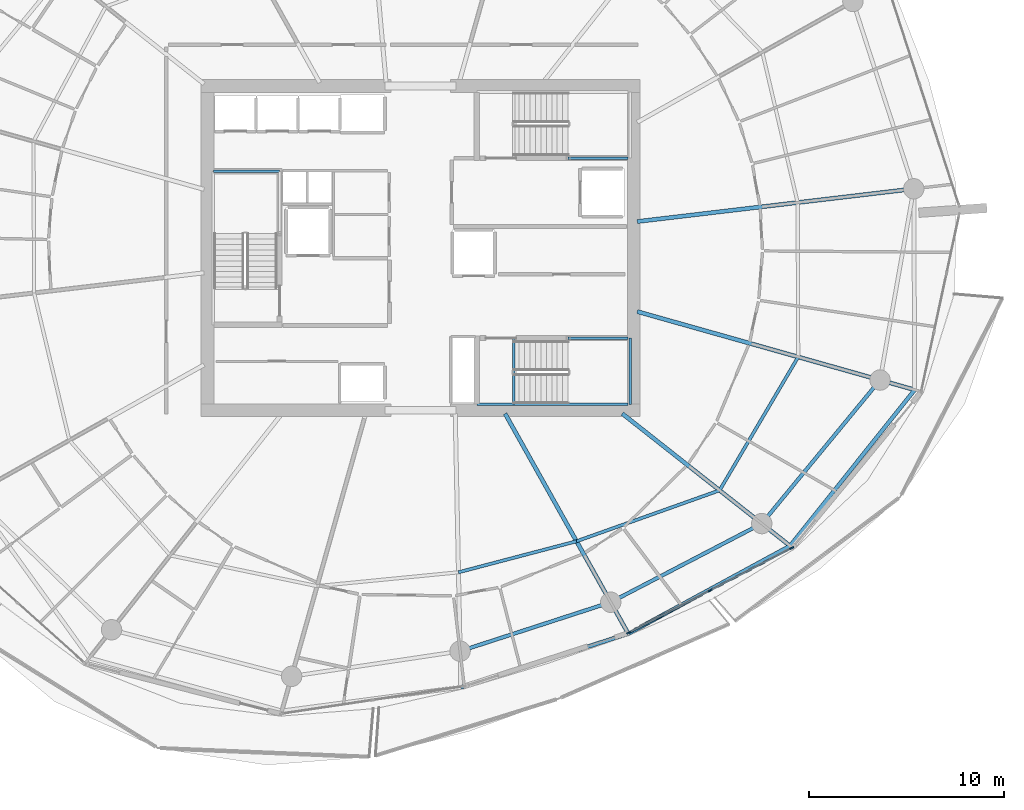
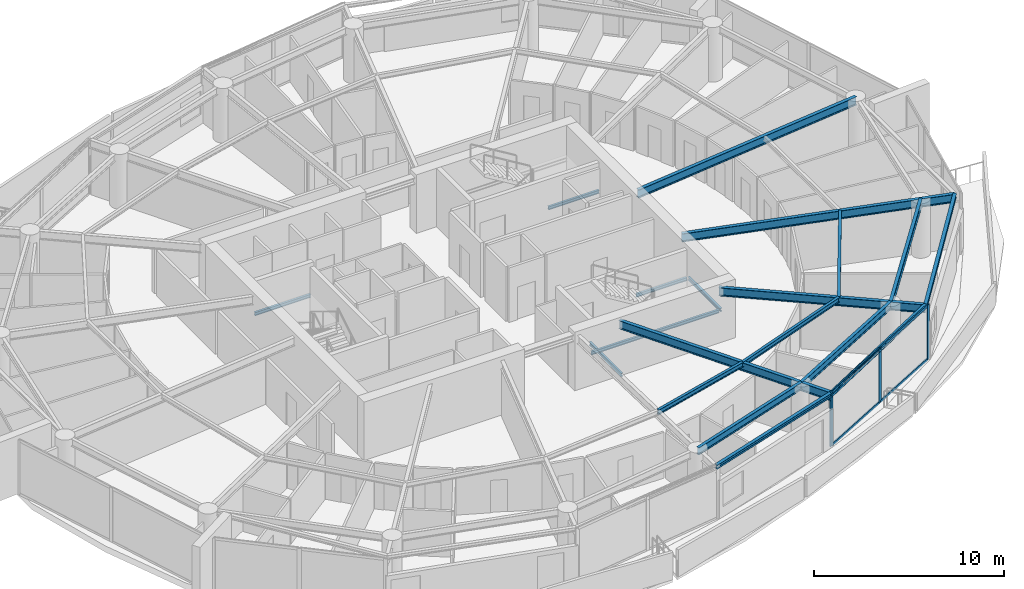
# One storey, part 6 of 21: 19 beams, 7 members, 1 element without a shape of its own.
"""IFC4 building model written with IfcOpenShell, lengths in metres."""

import ifcopenshell
import ifcopenshell.guid

model = None  # the IFC model being written
_history = None  # IfcOwnerHistory: only IFC2X3 demands one
_inside = {}  # id of a spatial element -> (the spatial element, [elements in it])
_under = {}  # id of a project, library or spatial element -> (it, [spatial elements below it])
_declared = {}  # id of a project -> (the project, [libraries it declares])
_typed = {}  # id of a type object -> (the type object, [elements of that type])
_made_of = {}  # id of a material, layer set ... -> (it, [elements and type objects made of it])


def new_model(schema):
    """Start an empty IFC model of exactly this schema.

    Asked for "IFC4X3", IfcOpenShell would pick the latest addendum, in which some entities
    have other attributes; the version numbers below select the first issue.
    IFC2X3 requires an IfcOwnerHistory on every rooted entity: one is made here for all.
    """
    global model, _history
    if schema == "IFC4X3":
        model = ifcopenshell.file(schema_version=(4, 3, 0, 0))
    else:
        model = ifcopenshell.file(schema=schema)
    _inside.clear()
    _under.clear()
    _declared.clear()
    _typed.clear()
    _made_of.clear()
    _history = None
    if model.schema == "IFC2X3":
        org = make("IfcOrganization", Name="unknown")
        user = make(
            "IfcPersonAndOrganization",
            ThePerson=make("IfcPerson", FamilyName="unknown"),
            TheOrganization=org,
        )
        app = make(
            "IfcApplication",
            ApplicationDeveloper=org,
            Version="unknown",
            ApplicationFullName="unknown",
            ApplicationIdentifier="unknown",
        )
        _history = make(
            "IfcOwnerHistory",
            OwningUser=user,
            OwningApplication=app,
            ChangeAction="ADDED",
            CreationDate=0,
        )
    return model


def make(cls, **values):
    """One entity of the class cls with the attributes given. An attribute that is None is left unset."""
    return model.create_entity(
        cls, **{name: value for name, value in values.items() if value is not None}
    )


def rooted(cls, **values):
    """An entity with a GlobalId (a new one), such as an element, a storey or a relation."""
    return make(cls, GlobalId=ifcopenshell.guid.new(), OwnerHistory=_history, **values)


def si_unit(unit_type, name, prefix=None):
    """IfcSIUnit, for example si_unit("LENGTHUNIT", "METRE", prefix="MILLI")."""
    return make("IfcSIUnit", UnitType=unit_type, Prefix=prefix, Name=name)


def assignment(units):
    """IfcUnitAssignment: the units of a project."""
    return None if units is None else make("IfcUnitAssignment", Units=units)


def point(xyz):
    """IfcCartesianPoint."""
    return None if xyz is None else make("IfcCartesianPoint", Coordinates=xyz)


def direction(xyz):
    """IfcDirection."""
    return None if xyz is None else make("IfcDirection", DirectionRatios=xyz)


def frame(location, z_axis=None, x_axis=None):
    """IfcAxis2Placement3D, a coordinate frame: its origin and axes. An axis left out is left unset."""
    return make(
        "IfcAxis2Placement3D",
        Location=point(location),
        Axis=direction(z_axis),
        RefDirection=direction(x_axis),
    )


def frame_2d(location, x_axis=None):
    """IfcAxis2Placement2D, a coordinate frame in the plane: its origin and x axis."""
    return make(
        "IfcAxis2Placement2D", Location=point(location), RefDirection=direction(x_axis)
    )


def origin():
    """The frame at (0, 0, 0) with its axes left unset."""
    return frame((0.0, 0.0, 0.0))


def origin_2d():
    """The frame at (0, 0) in the plane with its x axis left unset."""
    return frame_2d((0.0, 0.0))


def place(relative_to, where):
    """IfcLocalPlacement: puts the frame where relative to a parent placement (None: the world)."""
    return make(
        "IfcLocalPlacement", PlacementRelTo=relative_to, RelativePlacement=where
    )


def context(
    kind, dimensions, precision=None, world=None, true_north=None, identifier=None
):
    """IfcGeometricRepresentationContext, for example the 3D "Model" context."""
    return make(
        "IfcGeometricRepresentationContext",
        ContextIdentifier=identifier,
        ContextType=kind,
        CoordinateSpaceDimension=dimensions,
        Precision=precision,
        WorldCoordinateSystem=world,
        TrueNorth=true_north,
    )


def subcontext(parent, identifier, kind, view, scale=None):
    """IfcGeometricRepresentationSubContext, for example "Body" below "Model"."""
    return make(
        "IfcGeometricRepresentationSubContext",
        ContextIdentifier=identifier,
        ContextType=kind,
        ParentContext=parent,
        TargetScale=scale,
        TargetView=view,
    )


def project(units=None, contexts=None):
    """IfcProject with its units and contexts."""
    return rooted(
        "IfcProject",
        Name="project",
        RepresentationContexts=contexts,
        UnitsInContext=assignment(units),
    )


def spatial(cls, under=None, at=None, **own):
    """A site, building, storey or space (cls), placed at a placement, below another one or the project."""
    s = rooted(cls, ObjectPlacement=at, **own)
    if under is not None:
        _under.setdefault(under.id(), (under, []))[1].append(s)
    return s


def profile(cls, at=None, kind="AREA", **sizes):
    """A parametric profile (cls). Its sizes go by their IFC names, for example OverallWidth=200.0."""
    return make(cls, ProfileType=kind, Position=at, **sizes)


def rectangle(**sizes):
    """IfcRectangleProfileDef."""
    return profile("IfcRectangleProfileDef", **sizes)


def i_section(**sizes):
    """IfcIShapeProfileDef."""
    return profile("IfcIShapeProfileDef", **sizes)


def extrude(swept, where, along, depth):
    """IfcExtrudedAreaSolid: the profile swept, set in the frame where, extruded along a direction by depth."""
    return make(
        "IfcExtrudedAreaSolid",
        SweptArea=swept,
        Position=where,
        ExtrudedDirection=direction(along),
        Depth=depth,
    )


def shape(context_of_items, identifier, shape_type, items):
    """IfcShapeRepresentation: the items that make up one representation, for example the "Body"."""
    return make(
        "IfcShapeRepresentation",
        ContextOfItems=context_of_items,
        RepresentationIdentifier=identifier,
        RepresentationType=shape_type,
        Items=items,
    )


def material(Name=None, Category=None):
    """IfcMaterial."""
    return make("IfcMaterial", Name=Name, Category=Category)


def layer(
    of_material, thickness, ventilated=None, Name=None, Category=None, Priority=None
):
    """IfcMaterialLayer: one layer of a wall or slab, of a material (None: an air gap)."""
    return make(
        "IfcMaterialLayer",
        Material=of_material,
        LayerThickness=thickness,
        IsVentilated=ventilated,
        Name=Name,
        Category=Category,
        Priority=Priority,
    )


def layer_set(layers, Name=None):
    """IfcMaterialLayerSet."""
    return make("IfcMaterialLayerSet", MaterialLayers=layers, LayerSetName=Name)


def material_profile(
    of_material, cross_section, Name=None, Category=None, Priority=None
):
    """IfcMaterialProfile: a cross section and its material."""
    return make(
        "IfcMaterialProfile",
        Name=Name,
        Material=of_material,
        Profile=cross_section,
        Priority=Priority,
        Category=Category,
    )


def profile_set(profiles, Name=None, composite=None):
    """IfcMaterialProfileSet."""
    return make(
        "IfcMaterialProfileSet",
        Name=Name,
        MaterialProfiles=profiles,
        CompositeProfile=composite,
    )


def made_of(thing, what):
    """Note that an element or type object is made of a material, layer set ...; save() writes the relation."""
    if what is not None:
        _made_of.setdefault(what.id(), (what, []))[1].append(thing)
    return thing


def type_object(cls, material=None, **own):
    """A type object (cls), such as IfcWallType, which elements share."""
    return made_of(rooted(cls, **own), material)


def element(
    cls,
    number,
    at=None,
    inside=None,
    cuts=None,
    type_object=None,
    material=None,
    context=None,
    identifier="Body",
    shape_type=None,
    held_by="IfcProductDefinitionShape",
    body=None,
    shapes=None,
    **own,
):
    """One element of the class cls, such as IfcWall. Its Tag is "e" and its number.

    at: its placement. inside: the storey or other place that contains it. cuts: it is an
    opening in that element (IfcRelVoidsElement). A single representation is given by context,
    identifier, shape_type and body (its items); several are given by shapes. held_by: the class
    of the entity that holds the representations. save() writes the other relations.
    """
    e = rooted(cls, Tag="e%d" % number, ObjectPlacement=at, **own)
    if body is not None:
        shapes = [shape(context, identifier, shape_type, body)]
    if shapes is not None:
        e.Representation = make(held_by, Representations=shapes)
    if inside is not None:
        _inside.setdefault(inside.id(), (inside, []))[1].append(e)
    if cuts is not None:
        rooted(
            "IfcRelVoidsElement", RelatingBuildingElement=cuts, RelatedOpeningElement=e
        )
    if type_object is not None:
        _typed.setdefault(type_object.id(), (type_object, []))[1].append(e)
    return made_of(e, material)


def aggregate(whole, parts):
    """IfcRelAggregates: a whole, such as a stair, and the parts it consists of."""
    return rooted("IfcRelAggregates", RelatingObject=whole, RelatedObjects=parts)


def save(model, path):
    """Write the relations noted so far, then the file.

    IfcRelAggregates (storeys below a building ...), IfcRelContainedInSpatialStructure (elements
    in a storey), IfcRelDefinesByType, IfcRelAssociatesMaterial and IfcRelDeclares: one each for
    every whole, place, type object, material and project.
    """
    for whole, parts in _under.values():
        aggregate(whole, parts)
    for where, things in _inside.values():
        rooted(
            "IfcRelContainedInSpatialStructure",
            RelatedElements=things,
            RelatingStructure=where,
        )
    for kind, things in _typed.values():
        rooted("IfcRelDefinesByType", RelatedObjects=things, RelatingType=kind)
    for what, things in _made_of.values():
        rooted("IfcRelAssociatesMaterial", RelatedObjects=things, RelatingMaterial=what)
    for by, libraries in _declared.values():
        rooted("IfcRelDeclares", RelatingContext=by, RelatedDefinitions=libraries)
    model.write(path)


model = new_model("IFC4")

# Units and contexts
model_context = context("Model", 3, precision=1e-05, world=origin(), true_north=direction((0.0, 1.0)))
body_context = subcontext(model_context, "Body", "Model", "MODEL_VIEW")
ifc_project = project(units=[si_unit("LENGTHUNIT", "METRE"), si_unit("AREAUNIT", "SQUARE_METRE"), si_unit("VOLUMEUNIT", "CUBIC_METRE"), si_unit("PLANEANGLEUNIT", "RADIAN"), si_unit("MASSUNIT", "GRAM", prefix="KILO")], contexts=[model_context])

# Site, building, storey
site_placement = place(None, origin())
site = spatial("IfcSite", under=ifc_project, at=site_placement, CompositionType="ELEMENT")
building_placement = place(site_placement, origin())
building = spatial("IfcBuilding", under=site, at=building_placement, Name="Kazma Halo Residences", CompositionType="ELEMENT")
storey_placement = place(building_placement, frame((0.0, 0.0, 176.550048828125)))
storey = spatial("IfcBuildingStorey", under=building, at=storey_placement, Name="L44", CompositionType="ELEMENT", Elevation=176.550048828125)

# Beams
ifc_material_1 = material(Name="Steel S355", Category="steel")
ifc_material_profile_1 = material_profile(ifc_material_1, i_section(OverallWidth=0.201904296875, OverallDepth=0.2470703125, WebThickness=0.00732421875, FlangeThickness=0.010986328125, FilletRadius=0.011962890625, at=origin_2d()), Name="W250x49.1")
ifc_profile_set_1 = profile_set([ifc_material_profile_1], Name="Steel S355")
beam_type_1 = type_object("IfcBeamType", Name="BM-BAL-CANT", PredefinedType="BEAM", material=ifc_profile_set_1)
beam_1_placement = place(storey_placement, frame((50.48779296875, 19.45068359375, 3.37646484375), z_axis=(0.952538666424, 0.30441762263, 0.0), x_axis=(-0.30441762263, 0.952538666424, 0.0)))
element("IfcBeam", 1, at=beam_1_placement, inside=storey, type_object=beam_type_1, Name="L44 wave-balcony tie beam 12", PredefinedType="BEAM", context=body_context, shape_type="SweptSolid", body=[
    extrude(i_section(OverallWidth=0.201904296875, OverallDepth=0.2470703125, WebThickness=0.00732421875, FlangeThickness=0.010986328125, FilletRadius=0.011962890625, at=origin_2d()), origin(), (0.0, 0.0, 1.0), 9.029541015625),
])
beam_2_placement = place(storey_placement, frame((59.0888671875, 22.199462890625, 3.37646484375), z_axis=(0.878890557257, 0.477023467309, 0.0), x_axis=(-0.477023467309, 0.878890557257, 0.0)))
element("IfcBeam", 2, at=beam_2_placement, inside=storey, type_object=beam_type_1, Name="L44 wave-balcony tie beam 13", PredefinedType="BEAM", context=body_context, shape_type="SweptSolid", body=[
    extrude(i_section(OverallWidth=0.201904296875, OverallDepth=0.2470703125, WebThickness=0.00732421875, FlangeThickness=0.010986328125, FilletRadius=0.011962890625, at=origin_2d()), origin(), (0.0, 0.0, 1.0), 9.452880859375),
])
beam_3_placement = place(storey_placement, frame((67.39697265625, 26.708740234375, 3.37646484375), z_axis=(0.624195724924, 0.781268005864, 0.0), x_axis=(-0.781268005864, 0.624195724924, 0.0)))
element("IfcBeam", 3, at=beam_3_placement, inside=storey, type_object=beam_type_1, Name="L44 wave-balcony tie beam 14", PredefinedType="BEAM", context=body_context, shape_type="SweptSolid", body=[
    extrude(i_section(OverallWidth=0.201904296875, OverallDepth=0.2470703125, WebThickness=0.00732421875, FlangeThickness=0.010986328125, FilletRadius=0.011962890625, at=origin_2d()), origin(), (0.0, 0.0, 1.0), 10.258544921875),
])
ifc_material_profile_2 = material_profile(ifc_material_1, i_section(OverallWidth=0.208984375, OverallDepth=0.532958984375, WebThickness=0.01025390625, FlangeThickness=0.015625, FilletRadius=0.01611328125, at=origin_2d()), Name="W530x92")
ifc_profile_set_2 = profile_set([ifc_material_profile_2], Name="Steel S355")
beam_type_2 = type_object("IfcBeamType", Name="BM-RAD-W530", PredefinedType="BEAM", material=ifc_profile_set_2)
beam_4_placement = place(storey_placement, frame((52.76025390625, 33.5, 3.2333984375), z_axis=(0.488621736368, -0.872495729931, 0.0), x_axis=(0.872495729931, 0.488621736368, 0.0)))
element("IfcBeam", 4, at=beam_4_placement, inside=storey, type_object=beam_type_2, Name="L44 radial floor beam 13", PredefinedType="BEAM", context=body_context, shape_type="SweptSolid", body=[
    extrude(i_section(OverallWidth=0.208984375, OverallDepth=0.532958984375, WebThickness=0.01025390625, FlangeThickness=0.015625, FilletRadius=0.01611328125, at=origin_2d()), origin(), (0.0, 0.0, 1.0), 12.951904296875),
])
beam_5_placement = place(storey_placement, frame((58.7822265625, 33.5, 3.2333984375), z_axis=(0.785319521624, -0.619090662954, 0.0), x_axis=(0.619090662954, 0.785319521624, 0.0)))
element("IfcBeam", 5, at=beam_5_placement, inside=storey, type_object=beam_type_2, Name="L44 radial floor beam 14", PredefinedType="BEAM", context=body_context, shape_type="SweptSolid", body=[
    extrude(i_section(OverallWidth=0.208984375, OverallDepth=0.532958984375, WebThickness=0.01025390625, FlangeThickness=0.015625, FilletRadius=0.01611328125, at=origin_2d()), origin(), (0.0, 0.0, 1.0), 10.9697265625),
])
beam_6_placement = place(storey_placement, frame((59.550048828125, 38.74267578125, 3.2333984375), z_axis=(0.962449896911, -0.271459381741, 0.0), x_axis=(0.271459381741, 0.962449896911, 0.0)))
element("IfcBeam", 6, at=beam_6_placement, inside=storey, type_object=beam_type_2, Name="L44 radial floor beam 15", PredefinedType="BEAM", context=body_context, shape_type="SweptSolid", body=[
    extrude(i_section(OverallWidth=0.208984375, OverallDepth=0.532958984375, WebThickness=0.01025390625, FlangeThickness=0.015625, FilletRadius=0.01611328125, at=origin_2d()), origin(), (0.0, 0.0, 1.0), 14.80615234375),
])
beam_7_placement = place(storey_placement, frame((59.550048828125, 43.366943359375, 3.2333984375), z_axis=(0.993068204292, 0.117539532174, 0.0), x_axis=(-0.117539532174, 0.993068204292, 0.0)))
element("IfcBeam", 7, at=beam_7_placement, inside=storey, type_object=beam_type_2, Name="L44 radial floor beam 16", PredefinedType="BEAM", context=body_context, shape_type="SweptSolid", body=[
    extrude(i_section(OverallWidth=0.208984375, OverallDepth=0.532958984375, WebThickness=0.01025390625, FlangeThickness=0.015625, FilletRadius=0.01611328125, at=origin_2d()), origin(), (0.0, 0.0, 1.0), 14.30078125),
])
ifc_material_profile_3 = material_profile(ifc_material_1, i_section(OverallWidth=0.1650390625, OverallDepth=0.31005859375, WebThickness=0.005859375, FlangeThickness=0.009765625, FilletRadius=0.011962890625, at=origin_2d()), Name="W310x38.7")
ifc_profile_set_3 = profile_set([ifc_material_profile_3], Name="Steel S355")
beam_type_3 = type_object("IfcBeamType", Name="BM-SEC-W310B", PredefinedType="JOIST", material=ifc_profile_set_3)
beam_8_placement = place(storey_placement, frame((50.366943359375, 25.3515625, 3.344970703125), z_axis=(0.967135034863, 0.254263297273, 0.0), x_axis=(-0.254263297273, 0.967135034863, 0.0)))
element("IfcBeam", 8, at=beam_8_placement, inside=storey, type_object=beam_type_3, Name="L44 circumferential floor joist 12", PredefinedType="JOIST", context=body_context, shape_type="SweptSolid", body=[
    extrude(i_section(OverallWidth=0.1650390625, OverallDepth=0.31005859375, WebThickness=0.005859375, FlangeThickness=0.009765625, FilletRadius=0.011962890625, at=origin_2d()), origin(), (0.0, 0.0, 1.0), 6.27001953125),
])
beam_9_placement = place(storey_placement, frame((56.430908203125, 26.94580078125, 3.344970703125), z_axis=(0.942107492186, 0.335311009612, 0.0), x_axis=(-0.335311009612, 0.942107492186, 0.0)))
element("IfcBeam", 9, at=beam_9_placement, inside=storey, type_object=beam_type_3, Name="L44 circumferential floor joist 13", PredefinedType="JOIST", context=body_context, shape_type="SweptSolid", body=[
    extrude(i_section(OverallWidth=0.1650390625, OverallDepth=0.31005859375, WebThickness=0.005859375, FlangeThickness=0.009765625, FilletRadius=0.011962890625, at=origin_2d()), origin(), (0.0, 0.0, 1.0), 7.79931640625),
])
beam_10_placement = place(storey_placement, frame((63.77880859375, 29.56103515625, 3.344970703125), z_axis=(0.507638586433, 0.861570116453, 0.0), x_axis=(-0.861570116453, 0.507638586433, 0.0)))
element("IfcBeam", 10, at=beam_10_placement, inside=storey, type_object=beam_type_3, Name="L44 circumferential floor joist 14", PredefinedType="JOIST", context=body_context, shape_type="SweptSolid", body=[
    extrude(i_section(OverallWidth=0.1650390625, OverallDepth=0.31005859375, WebThickness=0.005859375, FlangeThickness=0.009765625, FilletRadius=0.011962890625, at=origin_2d()), origin(), (0.0, 0.0, 1.0), 7.951171875),
])
ifc_material_profile_4 = material_profile(ifc_material_1, i_section(OverallWidth=0.18994140625, OverallDepth=0.45703125, WebThickness=0.009033203125, FlangeThickness=0.014404296875, FilletRadius=0.01611328125, at=origin_2d()), Name="W460x74")
ifc_profile_set_4 = profile_set([ifc_material_profile_4], Name="Steel S355")
beam_type_4 = type_object("IfcBeamType", Name="BM-SPN-W460", PredefinedType="BEAM", material=ifc_profile_set_4)
beam_11_placement = place(storey_placement, frame((50.449951171875, 21.30029296875, 3.271484375), z_axis=(0.951048627281, 0.30904127321, 0.0), x_axis=(-0.30904127321, 0.951048627281, 0.0)))
element("IfcBeam", 11, at=beam_11_placement, inside=storey, type_object=beam_type_4, Name="L44 perimeter ring beam 12", PredefinedType="BEAM", context=body_context, shape_type="SweptSolid", body=[
    extrude(i_section(OverallWidth=0.18994140625, OverallDepth=0.45703125, WebThickness=0.009033203125, FlangeThickness=0.014404296875, FilletRadius=0.01611328125, at=origin_2d()), origin(), (0.0, 0.0, 1.0), 8.133056640625),
])
beam_12_placement = place(storey_placement, frame((58.184814453125, 23.813720703125, 3.271484375), z_axis=(0.886961243394, 0.461843861838, 0.0), x_axis=(-0.461843861838, 0.886961243394, 0.0)))
element("IfcBeam", 12, at=beam_12_placement, inside=storey, type_object=beam_type_4, Name="L44 perimeter ring beam 13", PredefinedType="BEAM", context=body_context, shape_type="SweptSolid", body=[
    extrude(i_section(OverallWidth=0.18994140625, OverallDepth=0.45703125, WebThickness=0.009033203125, FlangeThickness=0.014404296875, FilletRadius=0.01611328125, at=origin_2d()), origin(), (0.0, 0.0, 1.0), 8.748046875),
])
beam_13_placement = place(storey_placement, frame((65.944091796875, 27.85400390625, 3.271484375), z_axis=(0.63601715545, 0.771674917289, 0.0), x_axis=(-0.771674917289, 0.63601715545, 0.0)))
element("IfcBeam", 13, at=beam_13_placement, inside=storey, type_object=beam_type_4, Name="L44 perimeter ring beam 14", PredefinedType="BEAM", context=body_context, shape_type="SweptSolid", body=[
    extrude(i_section(OverallWidth=0.18994140625, OverallDepth=0.45703125, WebThickness=0.009033203125, FlangeThickness=0.014404296875, FilletRadius=0.01611328125, at=origin_2d()), origin(), (0.0, 0.0, 1.0), 9.552734375),
])
ifc_material_profile_5 = material_profile(ifc_material_1, i_section(OverallWidth=0.133056640625, OverallDepth=0.20703125, WebThickness=0.005859375, FlangeThickness=0.00830078125, FilletRadius=0.010009765625, at=origin_2d()), Name="W200x26.6")
ifc_profile_set_5 = profile_set([ifc_material_profile_5], Name="Steel S355")
beam_type_5 = type_object("IfcBeamType", Name="BM-TRIM-W200", PredefinedType="BEAM", material=ifc_profile_set_5)
beam_14_placement = place(storey_placement, frame((53.199951171875, 34.0, -0.510009765625), z_axis=(0.0, 1.0, 0.0), x_axis=(-1.0, 0.0, 0.0)))
element("IfcBeam", 14, at=beam_14_placement, inside=storey, type_object=beam_type_5, Name="L44 ST-03 floor landing support beam", PredefinedType="BEAM", context=body_context, shape_type="SweptSolid", body=[
    extrude(i_section(OverallWidth=0.133056640625, OverallDepth=0.20703125, WebThickness=0.005859375, FlangeThickness=0.00830078125, FilletRadius=0.010009765625, at=origin_2d()), origin(), (0.0, 0.0, 1.0), 3.3798828125),
])
beam_15_placement = place(storey_placement, frame((37.780029296875, 45.93994140625, 1.570068359375), z_axis=(1.0, 0.0, 0.0), x_axis=(0.0, 1.0, 0.0)))
element("IfcBeam", 15, at=beam_15_placement, inside=storey, type_object=beam_type_5, Name="L44 ST-01 landing end wall ledger", PredefinedType="BEAM", context=body_context, shape_type="SweptSolid", body=[
    extrude(i_section(OverallWidth=0.133056640625, OverallDepth=0.20703125, WebThickness=0.005859375, FlangeThickness=0.00830078125, FilletRadius=0.010009765625, at=origin_2d()), origin(), (0.0, 0.0, 1.0), 3.39990234375),
])
beam_16_placement = place(storey_placement, frame((56.0, 46.6201171875, 1.570068359375), z_axis=(1.0, 0.0, 0.0), x_axis=(0.0, 1.0, 0.0)))
element("IfcBeam", 16, at=beam_16_placement, inside=storey, type_object=beam_type_5, Name="L44 ST-02 landing south wall ledger", PredefinedType="BEAM", context=body_context, shape_type="SweptSolid", body=[
    extrude(i_section(OverallWidth=0.133056640625, OverallDepth=0.20703125, WebThickness=0.005859375, FlangeThickness=0.00830078125, FilletRadius=0.010009765625, at=origin_2d()), origin(), (0.0, 0.0, 1.0), 3.070068359375),
])
beam_17_placement = place(storey_placement, frame((51.31005859375, 33.97998046875, 1.570068359375), z_axis=(1.0, 0.0, 0.0), x_axis=(0.0, 1.0, 0.0)))
element("IfcBeam", 17, at=beam_17_placement, inside=storey, type_object=beam_type_5, Name="L44 ST-03 landing south wall ledger", PredefinedType="BEAM", context=body_context, shape_type="SweptSolid", body=[
    extrude(i_section(OverallWidth=0.133056640625, OverallDepth=0.20703125, WebThickness=0.005859375, FlangeThickness=0.00830078125, FilletRadius=0.010009765625, at=origin_2d()), origin(), (0.0, 0.0, 1.0), 7.760009765625),
])
beam_18_placement = place(storey_placement, frame((56.0, 37.3798828125, 1.570068359375), z_axis=(1.0, 0.0, 0.0), x_axis=(0.0, 1.0, 0.0)))
element("IfcBeam", 18, at=beam_18_placement, inside=storey, type_object=beam_type_5, Name="L44 ST-03 landing north wall ledger", PredefinedType="BEAM", context=body_context, shape_type="SweptSolid", body=[
    extrude(i_section(OverallWidth=0.133056640625, OverallDepth=0.20703125, WebThickness=0.005859375, FlangeThickness=0.00830078125, FilletRadius=0.010009765625, at=origin_2d()), origin(), (0.0, 0.0, 1.0), 3.070068359375),
])
beam_19_placement = place(storey_placement, frame((59.18994140625, 33.97998046875, 1.570068359375), z_axis=(0.0, 1.0, 0.0), x_axis=(-1.0, 0.0, 0.0)))
element("IfcBeam", 19, at=beam_19_placement, inside=storey, type_object=beam_type_5, Name="L44 ST-03 landing end wall ledger", PredefinedType="BEAM", context=body_context, shape_type="SweptSolid", body=[
    extrude(i_section(OverallWidth=0.133056640625, OverallDepth=0.20703125, WebThickness=0.005859375, FlangeThickness=0.00830078125, FilletRadius=0.010009765625, at=origin_2d()), origin(), (0.0, 0.0, 1.0), 3.39990234375),
])

# Curtain wall, members
ifc_material_2 = material(Name="Aluminium AW-6063 T6 and Triple-Silver Low-E Glass", Category="aluminium")
ifc_layer = layer(ifc_material_2, 0.219970703125)
ifc_layer_set = layer_set([ifc_layer], Name="Aluminium AW-6063 T6 and Triple-Silver Low-E Glass")
curtain_wall_type = type_object("IfcCurtainWallType", Name="CW-SYS-4", PredefinedType="NOTDEFINED", material=ifc_layer_set)
curtain_wall_placement = place(storey_placement, origin())
curtain_wall = element("IfcCurtainWall", 20, at=curtain_wall_placement, inside=storey, type_object=curtain_wall_type, Name="L44 unitised curtain wall B13", PredefinedType="NOTDEFINED")
ifc_material_3 = material(Name="Aluminium AW-6063 T6", Category="aluminium")
ifc_material_profile_6 = material_profile(ifc_material_3, rectangle(XDim=0.074951171875, YDim=0.219970703125, at=origin_2d()), Name="CWM-75x220")
ifc_profile_set_6 = profile_set([ifc_material_profile_6], Name="Aluminium AW-6063 T6")
member_type_1 = type_object("IfcMemberType", Name="CW-SYS-4-MUL", PredefinedType="MULLION", material=ifc_profile_set_6)
member_1_placement = place(storey_placement, frame((59.105712890625, 22.24609375, 0.0), z_axis=(0.0, 0.0, 1.0), x_axis=(-0.460873851097, 0.887465657575, 0.0)))
member_1 = element("IfcMember", 21, at=member_1_placement, type_object=member_type_1, Name="CWS-4 mullion 1", PredefinedType="MULLION", context=body_context, shape_type="SweptSolid", body=[
    extrude(rectangle(XDim=0.074951171875, YDim=0.219970703125, at=origin_2d()), origin(), (0.0, 0.0, 1.0), 3.5),
])
member_2_placement = place(storey_placement, frame((63.294677734375, 24.421630859375, 0.0), z_axis=(0.0, 0.0, 1.0), x_axis=(-0.460873851097, 0.887465657575, 0.0)))
member_2 = element("IfcMember", 22, at=member_2_placement, type_object=member_type_1, Name="CWS-4 mullion 2", PredefinedType="MULLION", context=body_context, shape_type="SweptSolid", body=[
    extrude(rectangle(XDim=0.074951171875, YDim=0.219970703125, at=origin_2d()), origin(), (0.0, 0.0, 1.0), 3.5),
])
member_3_placement = place(storey_placement, frame((67.4833984375, 26.596923828125, 0.0), z_axis=(0.0, 0.0, 1.0), x_axis=(-0.460873851097, 0.887465657575, 0.0)))
member_3 = element("IfcMember", 23, at=member_3_placement, type_object=member_type_1, Name="CWS-4 mullion 3", PredefinedType="MULLION", context=body_context, shape_type="SweptSolid", body=[
    extrude(rectangle(XDim=0.074951171875, YDim=0.219970703125, at=origin_2d()), origin(), (0.0, 0.0, 1.0), 3.5),
])
ifc_material_profile_7 = material_profile(ifc_material_3, rectangle(XDim=0.074951171875, YDim=0.1650390625, at=origin_2d()), Name="CWT-75x165")
ifc_profile_set_7 = profile_set([ifc_material_profile_7], Name="Aluminium AW-6063 T6")
member_type_2 = type_object("IfcMemberType", Name="CW-SYS-4-TRN", PredefinedType="USERDEFINED", material=ifc_profile_set_7)
member_4_placement = place(storey_placement, frame((59.138916015625, 22.263427734375, 0.037353515625), z_axis=(0.887457630519, 0.460889307789, 0.0), x_axis=(-0.460889307789, 0.887457630519, 0.0)))
member_4 = element("IfcMember", 24, at=member_4_placement, type_object=member_type_2, Name="CWS-4 transom 1.1", ObjectType="TRANSOM", PredefinedType="USERDEFINED", context=body_context, shape_type="SweptSolid", body=[
    extrude(rectangle(XDim=0.074951171875, YDim=0.1650390625, at=origin_2d()), origin(), (0.0, 0.0, 1.0), 4.64501953125),
])
member_5_placement = place(storey_placement, frame((59.138916015625, 22.263427734375, 3.46240234375), z_axis=(0.887457630519, 0.460889307789, 0.0), x_axis=(-0.460889307789, 0.887457630519, 0.0)))
member_5 = element("IfcMember", 25, at=member_5_placement, type_object=member_type_2, Name="CWS-4 transom 1.2", ObjectType="TRANSOM", PredefinedType="USERDEFINED", context=body_context, shape_type="SweptSolid", body=[
    extrude(rectangle(XDim=0.074951171875, YDim=0.1650390625, at=origin_2d()), origin(), (0.0, 0.0, 1.0), 4.64501953125),
])
member_6_placement = place(storey_placement, frame((63.327880859375, 24.438720703125, 0.037353515625), z_axis=(0.887457630519, 0.460889307789, 0.0), x_axis=(-0.460889307789, 0.887457630519, 0.0)))
member_6 = element("IfcMember", 26, at=member_6_placement, type_object=member_type_2, Name="CWS-4 transom 2.1", ObjectType="TRANSOM", PredefinedType="USERDEFINED", context=body_context, shape_type="SweptSolid", body=[
    extrude(rectangle(XDim=0.074951171875, YDim=0.1650390625, at=origin_2d()), origin(), (0.0, 0.0, 1.0), 4.64501953125),
])
member_7_placement = place(storey_placement, frame((63.327880859375, 24.438720703125, 3.46240234375), z_axis=(0.887457630519, 0.460889307789, 0.0), x_axis=(-0.460889307789, 0.887457630519, 0.0)))
member_7 = element("IfcMember", 27, at=member_7_placement, type_object=member_type_2, Name="CWS-4 transom 2.2", ObjectType="TRANSOM", PredefinedType="USERDEFINED", context=body_context, shape_type="SweptSolid", body=[
    extrude(rectangle(XDim=0.074951171875, YDim=0.1650390625, at=origin_2d()), origin(), (0.0, 0.0, 1.0), 4.64501953125),
])
aggregate(curtain_wall, [member_1, member_2, member_3, member_4, member_5, member_6, member_7])

save(model, "model.ifc")
